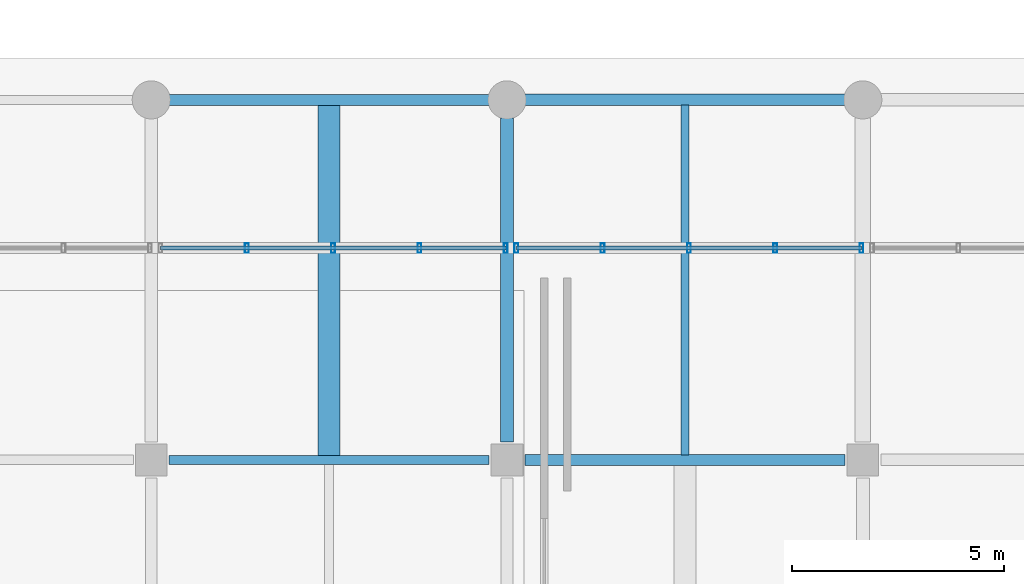
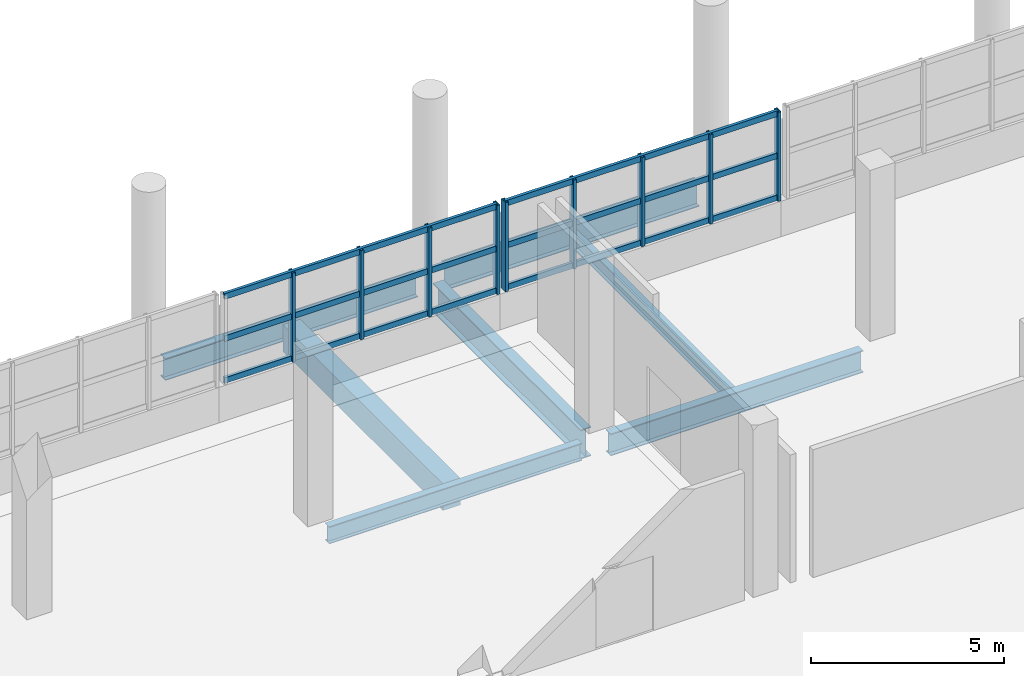
# One storey, part 52 of 107: 15 members, 7 beams, 2 elements without a shape of their own.
"""IFC4 building model written with IfcOpenShell, lengths in metres."""

from ifc_helpers import new_model, si_unit, direction, frame, origin, origin_2d, place, context, subcontext, project, spatial, rectangle, hollow_rectangle, i_section, extrude, material, material_profile, profile_set, type_object, element, aggregate, save


model = new_model("IFC4")

# Units and contexts
model_context = context("Model", 3, precision=1e-05, world=origin(), true_north=direction((0.0, 1.0)))
body_context = subcontext(model_context, "Body", "Model", "MODEL_VIEW")
ifc_project = project(units=[si_unit("LENGTHUNIT", "METRE"), si_unit("AREAUNIT", "SQUARE_METRE"), si_unit("VOLUMEUNIT", "CUBIC_METRE"), si_unit("PLANEANGLEUNIT", "RADIAN"), si_unit("MASSUNIT", "GRAM", prefix="KILO")], contexts=[model_context])

# Site, building, storey
site_placement = place(None, origin())
site = spatial("IfcSite", under=ifc_project, at=site_placement, CompositionType="ELEMENT")
building_placement = place(site_placement, origin())
building = spatial("IfcBuilding", under=site, at=building_placement, Name="Solvento Point Concert Hall", CompositionType="ELEMENT")
storey_placement = place(building_placement, origin())
storey = spatial("IfcBuildingStorey", under=building, at=storey_placement, Name="L00", CompositionType="ELEMENT", Elevation=0.0)

# Beams
ifc_material_1 = material(Name="Concrete C35/45", Category="concrete")
ifc_material_profile_1 = material_profile(ifc_material_1, rectangle(XDim=0.52001953125, YDim=0.840087890625, at=origin_2d()), Name="RC-BM-520X840")
ifc_profile_set_1 = profile_set([ifc_material_profile_1], Name="Concrete C35/45")
beam_type_1 = type_object("IfcBeamType", Name="Beam_RC_520x840", PredefinedType="BEAM", material=ifc_profile_set_1)
beam_1_placement = place(storey_placement, frame((179.39990234375, 17.092041015625, -0.833984375), z_axis=(0.0, 1.0, 0.0), x_axis=(-1.0, 0.0, 0.0)))
element("IfcBeam", 1, at=beam_1_placement, inside=storey, type_object=beam_type_1, Name="Secondary floor joist B-54 L00", PredefinedType="BEAM", context=body_context, shape_type="SweptSolid", body=[
    extrude(rectangle(XDim=0.52001953125, YDim=0.840087890625, at=origin_2d()), origin(), (0.0, 0.0, 1.0), 8.294921875),
])
ifc_material_2 = material(Name="Structural Steel ASTM A992 Grade 50", Category="steel")
ifc_material_profile_2 = material_profile(ifc_material_2, i_section(OverallWidth=0.214111328125, OverallDepth=0.549072265625, WebThickness=0.0146484375, FlangeThickness=0.023681640625, at=origin_2d()), Name="W21X93")
ifc_profile_set_2 = profile_set([ifc_material_profile_2], Name="Structural Steel ASTM A992 Grade 50")
beam_type_2 = type_object("IfcBeamType", Name="Beam_W21X93", PredefinedType="BEAM", material=ifc_profile_set_2)
beam_2_placement = place(storey_placement, frame((175.6240234375, 17.0, -0.6884765625), z_axis=(1.0, 0.0, 0.0), x_axis=(0.0, 1.0, 0.0)))
element("IfcBeam", 2, at=beam_2_placement, inside=storey, type_object=beam_type_2, Name="Primary girder B-48 L00", PredefinedType="BEAM", context=body_context, shape_type="SweptSolid", body=[
    extrude(i_section(OverallWidth=0.214111328125, OverallDepth=0.549072265625, WebThickness=0.0146484375, FlangeThickness=0.023681640625, at=origin_2d()), origin(), (0.0, 0.0, 1.0), 7.552001953125),
])
ifc_material_3 = material(Name="Structural Steel ASTM A992 Grade 50", Category="steel")
ifc_material_profile_3 = material_profile(ifc_material_3, i_section(OverallWidth=0.256103515625, OverallDepth=0.693115234375, WebThickness=0.014404296875, FlangeThickness=0.023681640625, at=origin_2d()), Name="W27X114")
ifc_profile_set_3 = profile_set([ifc_material_profile_3], Name="Structural Steel ASTM A992 Grade 50")
beam_type_3 = type_object("IfcBeamType", Name="Girder_W27X114", PredefinedType="USERDEFINED", material=ifc_profile_set_3)
for number, where, z_axis, x_axis, name in (
    (3, (184.02392578125, 17.0, -0.760498046875), (1.0, 0.0, 0.0), (0.0, 1.0, 0.0), "Primary girder B-23 L00"),
    (4, (175.6240234375, 25.5, -0.590576171875), (1.0, 0.0, 0.0), (0.0, 1.0, 0.0), "Primary girder B-23 L00"),
):
    element("IfcBeam", number, at=place(storey_placement, frame(where, z_axis=z_axis, x_axis=x_axis)), inside=storey, type_object=beam_type_3, Name=name, ObjectType="GIRDER", PredefinedType="USERDEFINED", context=body_context, shape_type="SweptSolid", body=[
        extrude(i_section(OverallWidth=0.256103515625, OverallDepth=0.693115234375, WebThickness=0.014404296875, FlangeThickness=0.023681640625, at=origin_2d()), origin(), (0.0, 0.0, 1.0), 7.552001953125),
    ])
ifc_material_4 = material(Name="Structural Steel ASTM A992 Grade 50", Category="steel")
ifc_material_profile_4 = material_profile(ifc_material_4, i_section(OverallWidth=0.26806640625, OverallDepth=0.77001953125, WebThickness=0.015625, FlangeThickness=0.025390625, at=origin_2d()), Name="W30X132")
ifc_profile_set_4 = profile_set([ifc_material_profile_4], Name="Structural Steel ASTM A992 Grade 50")
beam_type_4 = type_object("IfcBeamType", Name="Girder_W30X132", PredefinedType="USERDEFINED", material=ifc_profile_set_4)
beam_3_placement = place(storey_placement, frame((184.02392578125, 25.5, -0.62890625), z_axis=(1.0, 0.0, 0.0), x_axis=(0.0, 1.0, 0.0)))
element("IfcBeam", 5, at=beam_3_placement, inside=storey, type_object=beam_type_4, Name="Primary girder B-68 L00", ObjectType="GIRDER", PredefinedType="USERDEFINED", context=body_context, shape_type="SweptSolid", body=[
    extrude(i_section(OverallWidth=0.26806640625, OverallDepth=0.77001953125, WebThickness=0.015625, FlangeThickness=0.025390625, at=origin_2d()), origin(), (0.0, 0.0, 1.0), 7.552001953125),
])
ifc_material_5 = material(Name="Structural Steel ASTM A992 Grade 50", Category="steel")
ifc_material_profile_5 = material_profile(ifc_material_5, i_section(OverallWidth=0.3076171875, OverallDepth=0.927001953125, WebThickness=0.019287109375, FlangeThickness=0.031982421875, at=origin_2d()), Name="W36X194")
ifc_profile_set_5 = profile_set([ifc_material_profile_5], Name="Structural Steel ASTM A992 Grade 50")
beam_type_5 = type_object("IfcBeamType", Name="Girder_W36X194", PredefinedType="USERDEFINED", material=ifc_profile_set_5)
beam_4_placement = place(storey_placement, frame((183.60009765625, 17.424072265625, -0.87744140625), z_axis=(0.0, 1.0, 0.0), x_axis=(-1.0, 0.0, 0.0)))
element("IfcBeam", 6, at=beam_4_placement, inside=storey, type_object=beam_type_5, Name="Primary girder B-61 L00", ObjectType="GIRDER", PredefinedType="USERDEFINED", context=body_context, shape_type="SweptSolid", body=[
    extrude(i_section(OverallWidth=0.3076171875, OverallDepth=0.927001953125, WebThickness=0.019287109375, FlangeThickness=0.031982421875, at=origin_2d()), origin(), (0.0, 0.0, 1.0), 7.65185546875),
])
ifc_material_6 = material(Name="Structural Steel ASTM A992 Grade 50", Category="steel")
ifc_material_profile_6 = material_profile(ifc_material_6, i_section(OverallWidth=0.1904296875, OverallDepth=0.45703125, WebThickness=0.009033203125, FlangeThickness=0.014404296875, at=origin_2d()), Name="W18X50")
ifc_profile_set_6 = profile_set([ifc_material_profile_6], Name="Structural Steel ASTM A992 Grade 50")
beam_type_6 = type_object("IfcBeamType", Name="Joist_W18X50", PredefinedType="JOIST", material=ifc_profile_set_6)
beam_5_placement = place(storey_placement, frame((187.800048828125, 17.113037109375, -0.642578125), z_axis=(0.0, 1.0, 0.0), x_axis=(-1.0, 0.0, 0.0)))
element("IfcBeam", 7, at=beam_5_placement, inside=storey, type_object=beam_type_6, Name="Secondary floor joist B-66 L00", PredefinedType="JOIST", context=body_context, shape_type="SweptSolid", body=[
    extrude(i_section(OverallWidth=0.1904296875, OverallDepth=0.45703125, WebThickness=0.009033203125, FlangeThickness=0.014404296875, at=origin_2d()), origin(), (0.0, 0.0, 1.0), 8.26806640625),
])

# Curtain wall, members
ifc_material_7 = material(Name="Anodized Bronze Aluminium", Category="aluminium")
curtain_wall_type = type_object("IfcCurtainWallType", Name="CurtainWall_CafeVeranda", PredefinedType="USERDEFINED", material=ifc_material_7)
curtain_wall_1_placement = place(storey_placement, origin())
curtain_wall_1 = element("IfcCurtainWall", 8, at=curtain_wall_1_placement, inside=storey, type_object=curtain_wall_type, Name="Unitised curtain wall CW-42 UCW-L00-042", ObjectType="UNITISED CURTAIN WALL", PredefinedType="USERDEFINED")
ifc_material_8 = material(Name="Anodized Bronze Aluminium", Category="aluminium")
ifc_material_profile_7 = material_profile(ifc_material_8, hollow_rectangle(XDim=0.090087890625, YDim=0.219970703125, WallThickness=0.00439453125, at=origin_2d()), Name="CW-MUL-90X220")
ifc_profile_set_7 = profile_set([ifc_material_profile_7], Name="Anodized Bronze Aluminium")
member_type_1 = type_object("IfcMemberType", Name="Mullion_90x220", PredefinedType="MULLION", material=ifc_profile_set_7)
member_1_placement = place(storey_placement, frame((177.45751953125, 22.0, 1.1201171875), z_axis=(0.0, 0.0, 1.0), x_axis=(1.0, 0.0, 0.0)))
member_1 = element("IfcMember", 9, at=member_1_placement, type_object=member_type_1, Name="Curtain wall mullion ML-02", PredefinedType="MULLION", context=body_context, shape_type="SweptSolid", body=[
    extrude(hollow_rectangle(XDim=0.090087890625, YDim=0.219970703125, WallThickness=0.00439453125, at=origin_2d()), origin(), (0.0, 0.0, 1.0), 2.81787109375),
])
member_2_placement = place(storey_placement, frame((179.4951171875, 22.0, 1.1201171875), z_axis=(0.0, 0.0, 1.0), x_axis=(1.0, 0.0, 0.0)))
member_2 = element("IfcMember", 10, at=member_2_placement, type_object=member_type_1, Name="Curtain wall mullion ML-02", PredefinedType="MULLION", context=body_context, shape_type="SweptSolid", body=[
    extrude(hollow_rectangle(XDim=0.090087890625, YDim=0.219970703125, WallThickness=0.00439453125, at=origin_2d()), origin(), (0.0, 0.0, 1.0), 2.81787109375),
])
member_3_placement = place(storey_placement, frame((181.532470703125, 22.0, 1.1201171875), z_axis=(0.0, 0.0, 1.0), x_axis=(1.0, 0.0, 0.0)))
member_3 = element("IfcMember", 11, at=member_3_placement, type_object=member_type_1, Name="Curtain wall mullion ML-02", PredefinedType="MULLION", context=body_context, shape_type="SweptSolid", body=[
    extrude(hollow_rectangle(XDim=0.090087890625, YDim=0.219970703125, WallThickness=0.00439453125, at=origin_2d()), origin(), (0.0, 0.0, 1.0), 2.81787109375),
])
member_4_placement = place(storey_placement, frame((183.570068359375, 22.0, 1.1201171875), z_axis=(0.0, 0.0, 1.0), x_axis=(1.0, 0.0, 0.0)))
member_4 = element("IfcMember", 12, at=member_4_placement, type_object=member_type_1, Name="Curtain wall mullion ML-02", PredefinedType="MULLION", context=body_context, shape_type="SweptSolid", body=[
    extrude(hollow_rectangle(XDim=0.090087890625, YDim=0.219970703125, WallThickness=0.00439453125, at=origin_2d()), origin(), (0.0, 0.0, 1.0), 2.81787109375),
])

curtain_wall_2_placement = place(storey_placement, origin())
curtain_wall_2 = element("IfcCurtainWall", 13, at=curtain_wall_2_placement, inside=storey, type_object=curtain_wall_type, Name="Unitised curtain wall CW-42 UCW-L00-043", ObjectType="UNITISED CURTAIN WALL", PredefinedType="USERDEFINED")
member_5_placement = place(storey_placement, frame((183.820068359375, 22.0, 1.1201171875), z_axis=(0.0, 0.0, 1.0), x_axis=(1.0, 0.0, 0.0)))
member_5 = element("IfcMember", 14, at=member_5_placement, type_object=member_type_1, Name="Curtain wall mullion ML-02", PredefinedType="MULLION", context=body_context, shape_type="SweptSolid", body=[
    extrude(hollow_rectangle(XDim=0.090087890625, YDim=0.219970703125, WallThickness=0.00439453125, at=origin_2d()), origin(), (0.0, 0.0, 1.0), 2.81787109375),
])
member_6_placement = place(storey_placement, frame((185.857421875, 22.0, 1.1201171875), z_axis=(0.0, 0.0, 1.0), x_axis=(1.0, 0.0, 0.0)))
member_6 = element("IfcMember", 15, at=member_6_placement, type_object=member_type_1, Name="Curtain wall mullion ML-02", PredefinedType="MULLION", context=body_context, shape_type="SweptSolid", body=[
    extrude(hollow_rectangle(XDim=0.090087890625, YDim=0.219970703125, WallThickness=0.00439453125, at=origin_2d()), origin(), (0.0, 0.0, 1.0), 2.81787109375),
])
member_7_placement = place(storey_placement, frame((187.89501953125, 22.0, 1.1201171875), z_axis=(0.0, 0.0, 1.0), x_axis=(1.0, 0.0, 0.0)))
member_7 = element("IfcMember", 16, at=member_7_placement, type_object=member_type_1, Name="Curtain wall mullion ML-02", PredefinedType="MULLION", context=body_context, shape_type="SweptSolid", body=[
    extrude(hollow_rectangle(XDim=0.090087890625, YDim=0.219970703125, WallThickness=0.00439453125, at=origin_2d()), origin(), (0.0, 0.0, 1.0), 2.81787109375),
])
member_8_placement = place(storey_placement, frame((189.9326171875, 22.0, 1.1201171875), z_axis=(0.0, 0.0, 1.0), x_axis=(1.0, 0.0, 0.0)))
member_8 = element("IfcMember", 17, at=member_8_placement, type_object=member_type_1, Name="Curtain wall mullion ML-02", PredefinedType="MULLION", context=body_context, shape_type="SweptSolid", body=[
    extrude(hollow_rectangle(XDim=0.090087890625, YDim=0.219970703125, WallThickness=0.00439453125, at=origin_2d()), origin(), (0.0, 0.0, 1.0), 2.81787109375),
])
member_9_placement = place(storey_placement, frame((191.969970703125, 22.0, 1.1201171875), z_axis=(0.0, 0.0, 1.0), x_axis=(1.0, 0.0, 0.0)))
member_9 = element("IfcMember", 18, at=member_9_placement, type_object=member_type_1, Name="Curtain wall mullion ML-02", PredefinedType="MULLION", context=body_context, shape_type="SweptSolid", body=[
    extrude(hollow_rectangle(XDim=0.090087890625, YDim=0.219970703125, WallThickness=0.00439453125, at=origin_2d()), origin(), (0.0, 0.0, 1.0), 2.81787109375),
])

# Member
ifc_material_9 = material(Name="Anodized Bronze Aluminium", Category="aluminium")
ifc_material_profile_8 = material_profile(ifc_material_9, hollow_rectangle(XDim=0.090087890625, YDim=0.179931640625, WallThickness=0.00439453125, at=origin_2d()), Name="CW-TRN-90X180")
ifc_profile_set_8 = profile_set([ifc_material_profile_8], Name="Anodized Bronze Aluminium")
member_type_2 = type_object("IfcMemberType", Name="Transom_90x180", PredefinedType="USERDEFINED", material=ifc_profile_set_8)
member_10_placement = place(storey_placement, frame((175.419921875, 22.0, 1.199951171875), z_axis=(1.0, 0.0, 0.0), x_axis=(0.0, 1.0, 0.0)))
member_10 = element("IfcMember", 19, at=member_10_placement, type_object=member_type_2, Name="Curtain wall transom TR-02", ObjectType="TRANSOM", PredefinedType="USERDEFINED", context=body_context, shape_type="SweptSolid", body=[
    extrude(hollow_rectangle(XDim=0.090087890625, YDim=0.179931640625, WallThickness=0.00439453125, at=origin_2d()), origin(), (0.0, 0.0, 1.0), 8.150146484375),
])

member_11_placement = place(storey_placement, frame((175.419921875, 22.0, 2.529052734375), z_axis=(1.0, 0.0, 0.0), x_axis=(0.0, 1.0, 0.0)))
member_11 = element("IfcMember", 20, at=member_11_placement, type_object=member_type_2, Name="Curtain wall transom TR-02", ObjectType="TRANSOM", PredefinedType="USERDEFINED", context=body_context, shape_type="SweptSolid", body=[
    extrude(hollow_rectangle(XDim=0.090087890625, YDim=0.179931640625, WallThickness=0.00439453125, at=origin_2d()), origin(), (0.0, 0.0, 1.0), 8.150146484375),
])

member_12_placement = place(storey_placement, frame((175.419921875, 22.0, 3.85791015625), z_axis=(1.0, 0.0, 0.0), x_axis=(0.0, 1.0, 0.0)))
member_12 = element("IfcMember", 21, at=member_12_placement, type_object=member_type_2, Name="Curtain wall transom TR-02", ObjectType="TRANSOM", PredefinedType="USERDEFINED", context=body_context, shape_type="SweptSolid", body=[
    extrude(hollow_rectangle(XDim=0.090087890625, YDim=0.179931640625, WallThickness=0.00439453125, at=origin_2d()), origin(), (0.0, 0.0, 1.0), 8.150146484375),
])

aggregate(curtain_wall_1, [member_1, member_2, member_3, member_4, member_10, member_11, member_12])

member_13_placement = place(storey_placement, frame((183.820068359375, 22.0, 1.199951171875), z_axis=(1.0, 0.0, 0.0), x_axis=(0.0, 1.0, 0.0)))
member_13 = element("IfcMember", 22, at=member_13_placement, type_object=member_type_2, Name="Curtain wall transom TR-02", ObjectType="TRANSOM", PredefinedType="USERDEFINED", context=body_context, shape_type="SweptSolid", body=[
    extrude(hollow_rectangle(XDim=0.090087890625, YDim=0.179931640625, WallThickness=0.00439453125, at=origin_2d()), origin(), (0.0, 0.0, 1.0), 8.14990234375),
])

member_14_placement = place(storey_placement, frame((183.820068359375, 22.0, 2.529052734375), z_axis=(1.0, 0.0, 0.0), x_axis=(0.0, 1.0, 0.0)))
member_14 = element("IfcMember", 23, at=member_14_placement, type_object=member_type_2, Name="Curtain wall transom TR-02", ObjectType="TRANSOM", PredefinedType="USERDEFINED", context=body_context, shape_type="SweptSolid", body=[
    extrude(hollow_rectangle(XDim=0.090087890625, YDim=0.179931640625, WallThickness=0.00439453125, at=origin_2d()), origin(), (0.0, 0.0, 1.0), 8.14990234375),
])

member_15_placement = place(storey_placement, frame((183.820068359375, 22.0, 3.85791015625), z_axis=(1.0, 0.0, 0.0), x_axis=(0.0, 1.0, 0.0)))
member_15 = element("IfcMember", 24, at=member_15_placement, type_object=member_type_2, Name="Curtain wall transom TR-02", ObjectType="TRANSOM", PredefinedType="USERDEFINED", context=body_context, shape_type="SweptSolid", body=[
    extrude(hollow_rectangle(XDim=0.090087890625, YDim=0.179931640625, WallThickness=0.00439453125, at=origin_2d()), origin(), (0.0, 0.0, 1.0), 8.14990234375),
])

aggregate(curtain_wall_2, [member_5, member_6, member_7, member_8, member_9, member_13, member_14, member_15])

save(model, "model.ifc")
